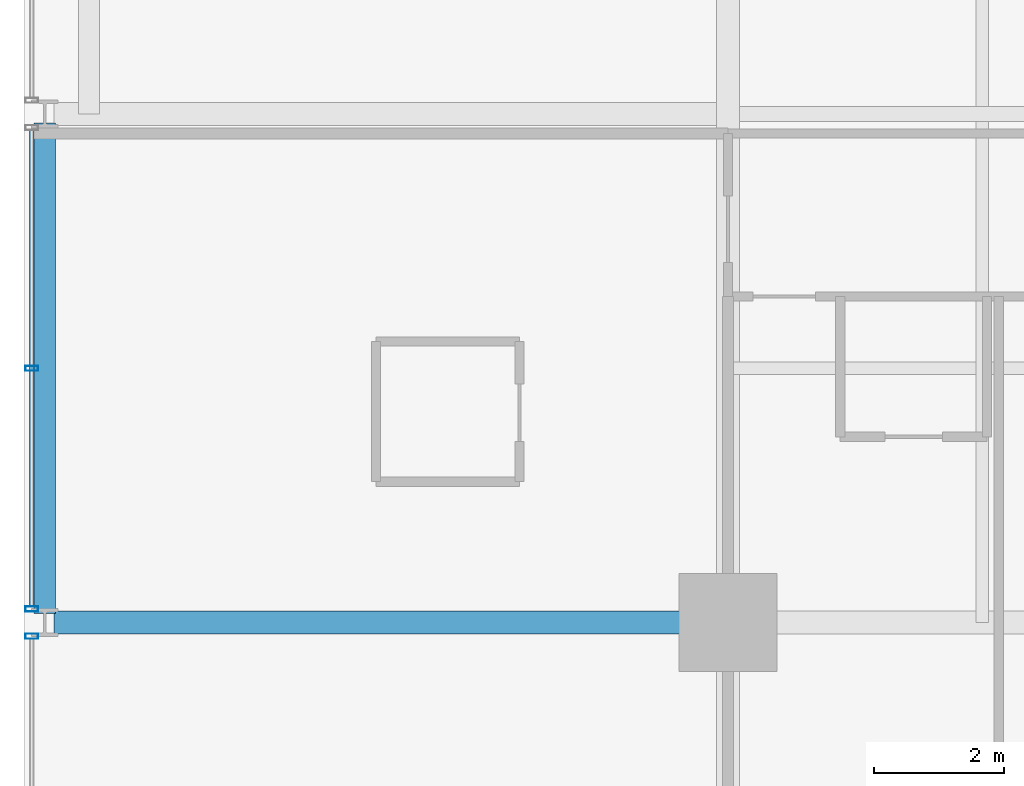
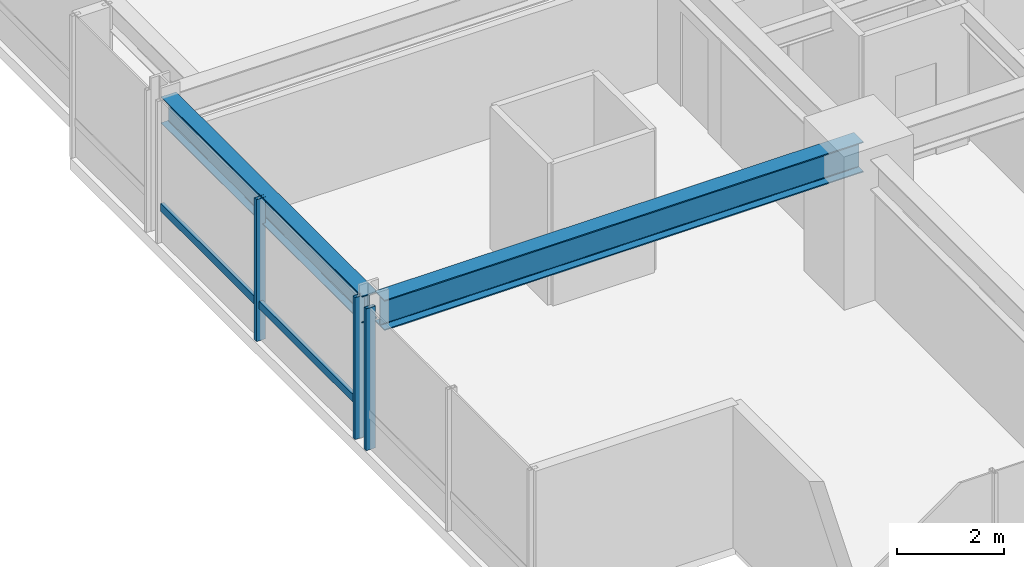
# One storey, part 4 of 34: 4 members, 2 beams, 2 elements without a shape of their own.
"""IFC4 building model written with IfcOpenShell, lengths in metres."""

from ifc_helpers import new_model, si_unit, direction, frame, origin, origin_2d, place, context, subcontext, project, spatial, hollow_rectangle, i_section, extrude, material, layer, layer_set, material_profile, profile_set, type_object, element, aggregate, save


model = new_model("IFC4")

# Units and contexts
model_context = context("Model", 3, precision=1e-05, world=origin(), true_north=direction((0.0, 1.0)))
body_context = subcontext(model_context, "Body", "Model", "MODEL_VIEW")
ifc_project = project(units=[si_unit("LENGTHUNIT", "METRE"), si_unit("AREAUNIT", "SQUARE_METRE"), si_unit("VOLUMEUNIT", "CUBIC_METRE"), si_unit("PLANEANGLEUNIT", "RADIAN"), si_unit("MASSUNIT", "GRAM", prefix="KILO")], contexts=[model_context])

# Site, building, storey
site_placement = place(None, origin())
site = spatial("IfcSite", under=ifc_project, at=site_placement, CompositionType="ELEMENT")
building_placement = place(site_placement, origin())
building = spatial("IfcBuilding", under=site, at=building_placement, Name="Drelvath Grand Hotel", CompositionType="ELEMENT")
storey_placement = place(building_placement, frame((0.0, 0.0, 133.800048828125)))
storey = spatial("IfcBuildingStorey", under=building, at=storey_placement, Name="L34", CompositionType="ELEMENT", Elevation=133.800048828125)

# Curtain wall, member
ifc_material_1 = material(Name="Champagne Bronze Anodised Aluminium Frame", Category="aluminium")
ifc_layer = layer(ifc_material_1, 0.199951171875)
ifc_layer_set = layer_set([ifc_layer], Name="Champagne Bronze Anodised Aluminium Frame")
curtain_wall_type = type_object("IfcCurtainWallType", Name="Stick Curtain Wall CW-03 Champagne Bronze Mid-Rise", PredefinedType="NOTDEFINED", material=ifc_layer_set)
curtain_wall_1_placement = place(storey_placement, origin())
curtain_wall_1 = element("IfcCurtainWall", 1, at=curtain_wall_1_placement, inside=storey, type_object=curtain_wall_type, Name="L34 CW-03 Curtain Wall CW03-L34-WS2", PredefinedType="NOTDEFINED")
ifc_material_profile_1 = material_profile(ifc_material_1, hollow_rectangle(XDim=0.074951171875, YDim=0.179931640625, WallThickness=0.0048828125, at=origin_2d()), Name="HSS180X75X5")
ifc_profile_set_1 = profile_set([ifc_material_profile_1], Name="Champagne Bronze Anodised Aluminium Frame")
member_type_1 = type_object("IfcMemberType", Name="Curtain Wall Horizontal Transom CW-03 HSS180X75X5", PredefinedType="USERDEFINED", material=ifc_profile_set_1)
member_1_placement = place(storey_placement, frame((-26.8798828125, 11.04931640625, 0.81005859375), z_axis=(0.0, 1.0, 0.0), x_axis=(-1.0, 0.0, 0.0)))
member_1 = element("IfcMember", 2, at=member_1_placement, type_object=member_type_1, Name="CW03-L34-WS2 Sill Transom", ObjectType="TRANSOM", PredefinedType="USERDEFINED", context=body_context, shape_type="SweptSolid", body=[
    extrude(hollow_rectangle(XDim=0.074951171875, YDim=0.179931640625, WallThickness=0.0048828125, at=origin_2d()), origin(), (0.0, 0.0, 1.0), 7.30126953125),
])

curtain_wall_2_placement = place(storey_placement, origin())
curtain_wall_2 = element("IfcCurtainWall", 3, at=curtain_wall_2_placement, inside=storey, type_object=curtain_wall_type, Name="L34 CW-03 Curtain Wall CW03-L34-WS1", PredefinedType="NOTDEFINED")
ifc_material_profile_2 = material_profile(ifc_material_1, hollow_rectangle(XDim=0.080078125, YDim=0.199951171875, WallThickness=0.0048828125, at=origin_2d()), Name="HSS200X80X5")
ifc_profile_set_2 = profile_set([ifc_material_profile_2], Name="Champagne Bronze Anodised Aluminium Frame")
member_type_2 = type_object("IfcMemberType", Name="Curtain Wall Vertical Mullion CW-03 HSS200X80X5", PredefinedType="MULLION", material=ifc_profile_set_2)
member_2_placement = place(storey_placement, frame((-26.8798828125, 10.590576171875, 0.0), z_axis=(0.0, 0.0, 1.0), x_axis=(0.0, 1.0, 0.0)))
member_2 = element("IfcMember", 4, at=member_2_placement, type_object=member_type_2, Name="CW03-L34-WS1 Mullion 3", PredefinedType="MULLION", context=body_context, shape_type="SweptSolid", body=[
    extrude(hollow_rectangle(XDim=0.080078125, YDim=0.199951171875, WallThickness=0.0048828125, at=origin_2d()), origin(), (0.0, 0.0, 1.0), 3.239990234375),
])
aggregate(curtain_wall_2, [member_2])

# Member
member_3_placement = place(storey_placement, frame((-26.8798828125, 11.009521484375, 0.0), z_axis=(0.0, 0.0, 1.0), x_axis=(0.0, 1.0, 0.0)))
member_3 = element("IfcMember", 5, at=member_3_placement, type_object=member_type_2, Name="CW03-L34-WS2 Mullion 1", PredefinedType="MULLION", context=body_context, shape_type="SweptSolid", body=[
    extrude(hollow_rectangle(XDim=0.080078125, YDim=0.199951171875, WallThickness=0.0048828125, at=origin_2d()), origin(), (0.0, 0.0, 1.0), 3.239990234375),
])

member_4_placement = place(storey_placement, frame((-26.8798828125, 14.699951171875, 0.0), z_axis=(0.0, 0.0, 1.0), x_axis=(0.0, 1.0, 0.0)))
member_4 = element("IfcMember", 6, at=member_4_placement, type_object=member_type_2, Name="CW03-L34-WS2 Mullion 2", PredefinedType="MULLION", context=body_context, shape_type="SweptSolid", body=[
    extrude(hollow_rectangle(XDim=0.080078125, YDim=0.199951171875, WallThickness=0.0048828125, at=origin_2d()), origin(), (0.0, 0.0, 1.0), 3.239990234375),
])

aggregate(curtain_wall_1, [member_3, member_4, member_1])

# Beams
ifc_material_2 = material(Name="Steel ASTM A992 Gr 50", Category="steel")
ifc_material_profile_3 = material_profile(ifc_material_2, i_section(OverallWidth=0.323974609375, OverallDepth=0.611083984375, WebThickness=0.0126953125, FlangeThickness=0.01904296875, FilletRadius=0.02197265625, at=origin_2d()), Name="W24X104")
ifc_profile_set_3 = profile_set([ifc_material_profile_3], Name="Steel ASTM A992 Gr 50")
beam_type_1 = type_object("IfcBeamType", Name="Perimeter Spandrel Beam W24X104", PredefinedType="SPANDREL", material=ifc_profile_set_3)
beam_1_placement = place(storey_placement, frame((-26.679931640625, 10.93994140625, 2.934326171875), z_axis=(0.0, 1.0, 0.0), x_axis=(-1.0, 0.0, 0.0)))
element("IfcBeam", 7, at=beam_1_placement, inside=storey, type_object=beam_type_1, Name="L34 Spandrel West S", PredefinedType="SPANDREL", context=body_context, shape_type="SweptSolid", body=[
    extrude(i_section(OverallWidth=0.323974609375, OverallDepth=0.611083984375, WebThickness=0.0126953125, FlangeThickness=0.01904296875, FilletRadius=0.02197265625, at=origin_2d()), origin(), (0.0, 0.0, 1.0), 7.52001953125),
])
ifc_material_profile_4 = material_profile(ifc_material_2, i_section(OverallWidth=0.354736328125, OverallDepth=0.695556640625, WebThickness=0.015380859375, FlangeThickness=0.025146484375, FilletRadius=0.02392578125, at=origin_2d()), Name="W27X146")
ifc_profile_set_4 = profile_set([ifc_material_profile_4], Name="Steel ASTM A992 Gr 50")
beam_type_2 = type_object("IfcBeamType", Name="Primary Floor Girder W27X146", PredefinedType="BEAM", material=ifc_profile_set_4)
beam_2_placement = place(storey_placement, frame((-26.5400390625, 10.800048828125, 2.892333984375), z_axis=(1.0, 0.0, 0.0), x_axis=(0.0, 1.0, 0.0)))
element("IfcBeam", 8, at=beam_2_placement, inside=storey, type_object=beam_type_2, Name="L34 West Grid Girder C", PredefinedType="BEAM", context=body_context, shape_type="SweptSolid", body=[
    extrude(i_section(OverallWidth=0.354736328125, OverallDepth=0.695556640625, WebThickness=0.015380859375, FlangeThickness=0.025146484375, FilletRadius=0.02392578125, at=origin_2d()), origin(), (0.0, 0.0, 1.0), 10.340087890625),
])

save(model, "model.ifc")
